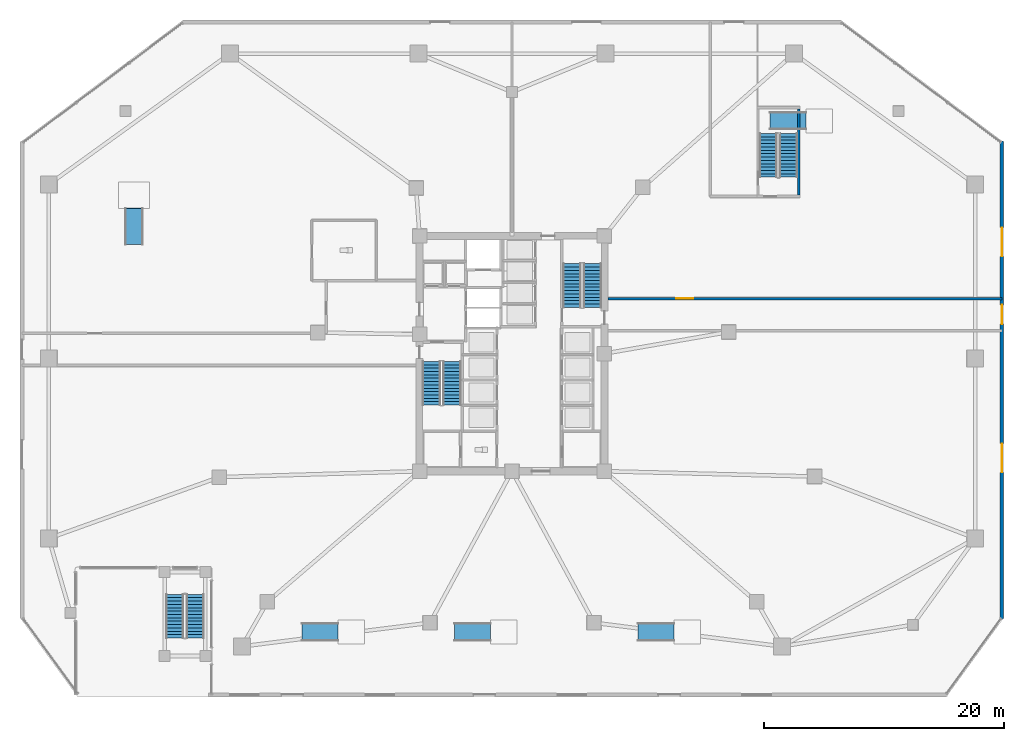
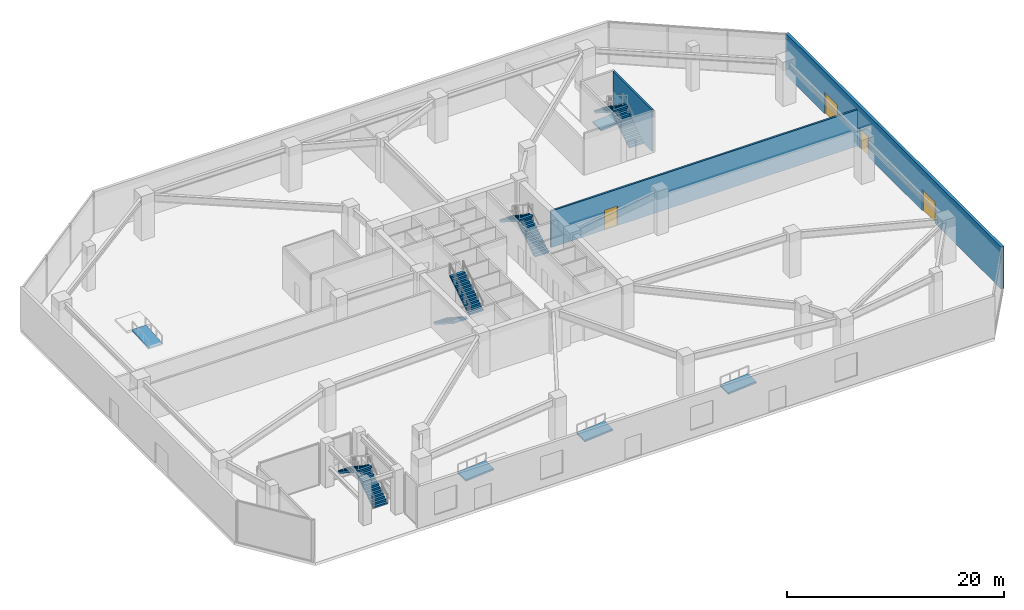
# One storey, part 12 of 22: 8 stair flights, 5 ramp flights, 4 doors, 3 walls, 4 openings, 9 elements without a shape of their own.
"""IFC4 building model written with IfcOpenShell, lengths in metres."""

from ifc_helpers import new_model, si_unit, direction, frame, frame_2d, origin, place, context, subcontext, project, spatial, polyline, rectangle, outline, extrude, material, layer, layer_set, type_object, element, fill, aggregate, save


model = new_model("IFC4")

# Units and contexts
model_context = context("Model", 3, precision=1e-05, world=origin(), true_north=direction((0.0, 1.0)))
body_context = subcontext(model_context, "Body", "Model", "MODEL_VIEW")
ifc_project = project(units=[si_unit("LENGTHUNIT", "METRE"), si_unit("AREAUNIT", "SQUARE_METRE"), si_unit("VOLUMEUNIT", "CUBIC_METRE"), si_unit("PLANEANGLEUNIT", "RADIAN"), si_unit("MASSUNIT", "GRAM", prefix="KILO")], contexts=[model_context])

# Site, building, storey
site_placement = place(None, origin())
site = spatial("IfcSite", under=ifc_project, at=site_placement, CompositionType="ELEMENT")
building_placement = place(site_placement, origin())
building = spatial("IfcBuilding", under=site, at=building_placement, Name="Savorim Split Tower", CompositionType="ELEMENT")
storey_placement = place(building_placement, origin())
storey = spatial("IfcBuildingStorey", under=building, at=storey_placement, Name="L00", CompositionType="ELEMENT", Elevation=0.0)

# Wall, openings, doors
ifc_material_1 = material(Name="Concrete C50/60", Category="concrete")
ifc_layer_1 = layer(ifc_material_1, 0.300048828125)
ifc_layer_set_1 = layer_set([ifc_layer_1], Name="WAL-EXT-POD300")
wall_type_1 = type_object("IfcWallType", Name="WAL-EXT-POD300", PredefinedType="SOLIDWALL", material=ifc_layer_set_1)
wall_1_placement = place(storey_placement, frame((40.820068359375, 18.10009765625, 0.0), z_axis=(0.0, 0.0, 1.0), x_axis=(0.0, -1.0, 0.0)))
wall_1 = element("IfcWall", 1, at=wall_1_placement, inside=storey, type_object=wall_type_1, Name="L00 Exterior Podium Wall E", PredefinedType="SOLIDWALL", context=body_context, shape_type="SweptSolid", body=[
    extrude(rectangle(XDim=39.800048828125, YDim=0.300048828125, at=frame_2d((19.89990234375, 0.0))), origin(), (0.0, 0.0, 1.0), 4.719970703125),
])
opening_1_placement = place(wall_1_placement, frame((25.199951171875, 0.0, 0.0)))
opening_1 = element("IfcOpeningElement", 2, at=opening_1_placement, cuts=wall_1, Name="Opening GT-01", PredefinedType="OPENING", context=body_context, shape_type="SweptSolid", body=[
    extrude(rectangle(XDim=2.39990234375, YDim=2.39990234375, at=frame_2d((1.199951171875, 1.199951171875))), frame((0.0, 0.159912109375, 0.0), z_axis=(0.0, -1.0, 0.0), x_axis=(1.0, 0.0, 0.0)), (0.0, 0.0, 1.0), 0.320068359375),
])
opening_2_placement = place(wall_1_placement, frame((13.64990234375, 0.0, 0.0)))
opening_2 = element("IfcOpeningElement", 3, at=opening_2_placement, cuts=wall_1, Name="Opening DE-02", PredefinedType="OPENING", context=body_context, shape_type="SweptSolid", body=[
    extrude(rectangle(XDim=1.60009765625, YDim=2.300048828125, at=frame_2d((0.800048828125, 1.14990234375))), frame((0.0, 0.159912109375, 0.0), z_axis=(0.0, -1.0, 0.0), x_axis=(1.0, 0.0, 0.0)), (0.0, 0.0, 1.0), 0.320068359375),
])
opening_3_placement = place(wall_1_placement, frame((7.199951171875, 0.0, 0.0)))
opening_3 = element("IfcOpeningElement", 4, at=opening_3_placement, cuts=wall_1, Name="Opening GT-01", PredefinedType="OPENING", context=body_context, shape_type="SweptSolid", body=[
    extrude(rectangle(XDim=2.39990234375, YDim=2.39990234375, at=frame_2d((1.199951171875, 1.199951171875))), frame((0.0, 0.159912109375, 0.0), z_axis=(0.0, -1.0, 0.0), x_axis=(1.0, 0.0, 0.0)), (0.0, 0.0, 1.0), 0.320068359375),
])
ifc_material_2 = material(Name="Charcoal Anodised Aluminium", Category="aluminium")
door_type_1 = type_object("IfcDoorType", Name="DOR-EXT-1600", OperationType="NOTDEFINED", PredefinedType="DOOR", material=ifc_material_2)
door_1_placement = place(opening_2_placement, origin())
door_1 = element("IfcDoor", 5, at=door_1_placement, inside=storey, type_object=door_type_1, Name="DOR-L00-ST2EX2 - L00 Exit Passage East Final Exit Door", OperationType="SINGLE_SWING_LEFT", OverallHeight=2.300048828125, OverallWidth=1.60009765625, PredefinedType="DOOR", context=body_context, shape_type="SweptSolid", body=[
    extrude(rectangle(XDim=1.60009765625, YDim=2.300048828125, at=frame_2d((0.800048828125, 1.14990234375))), frame((0.0, 0.02490234375, 0.0), z_axis=(0.0, -1.0, 0.0), x_axis=(1.0, 0.0, 0.0)), (0.0, 0.0, 1.0), 0.050048828125),
])
fill(opening_2, door_1)
door_type_2 = type_object("IfcDoorType", Name="DOR-GAT-2400", OperationType="NOTDEFINED", PredefinedType="GATE", material=ifc_material_2)
door_2_placement = place(opening_1_placement, origin())
door_2 = element("IfcDoor", 6, at=door_2_placement, inside=storey, type_object=door_type_2, Name="DOR-L00-BGAT3 - L00 East Bicycle Courtyard Gate 3", OperationType="DOUBLE_DOOR_SINGLE_SWING", OverallHeight=2.39990234375, OverallWidth=2.39990234375, PredefinedType="GATE", context=body_context, shape_type="SweptSolid", body=[
    extrude(rectangle(XDim=2.39990234375, YDim=2.39990234375, at=frame_2d((1.199951171875, 1.199951171875))), frame((0.0, 0.02490234375, 0.0), z_axis=(0.0, -1.0, 0.0), x_axis=(1.0, 0.0, 0.0)), (0.0, 0.0, 1.0), 0.050048828125),
])
fill(opening_1, door_2)
door_3_placement = place(opening_3_placement, origin())
door_3 = element("IfcDoor", 7, at=door_3_placement, inside=storey, type_object=door_type_2, Name="DOR-L00-BGAT4 - L00 East Delivery Gate 4", OperationType="DOUBLE_DOOR_SINGLE_SWING", OverallHeight=2.39990234375, OverallWidth=2.39990234375, PredefinedType="GATE", context=body_context, shape_type="SweptSolid", body=[
    extrude(rectangle(XDim=2.39990234375, YDim=2.39990234375, at=frame_2d((1.199951171875, 1.199951171875))), frame((0.0, 0.02490234375, 0.0), z_axis=(0.0, -1.0, 0.0), x_axis=(1.0, 0.0, 0.0)), (0.0, 0.0, 1.0), 0.050048828125),
])
fill(opening_3, door_3)

# Wall
ifc_layer_2 = layer(ifc_material_1, 0.199951171875)
ifc_layer_set_2 = layer_set([ifc_layer_2], Name="WAL-INT-RC200")
wall_type_2 = type_object("IfcWallType", Name="WAL-INT-RC200", PredefinedType="SOLIDWALL", material=ifc_layer_set_2)
wall_2_placement = place(storey_placement, frame((23.89990234375, 13.60009765625, 0.0), z_axis=(0.0, 0.0, 1.0), x_axis=(0.0, 1.0, 0.0)))
element("IfcWall", 8, at=wall_2_placement, inside=storey, type_object=wall_type_2, Name="L00 Structural Shaft Wall W-L00-ST3E", PredefinedType="SOLIDWALL", context=body_context, shape_type="SweptSolid", body=[
    extrude(rectangle(XDim=7.199951171875, YDim=0.199951171875, at=frame_2d((3.60009765625, 0.0))), origin(), (0.0, 0.0, 1.0), 4.719970703125),
])

# Wall, opening, door
wall_3_placement = place(storey_placement, frame((8.0, 4.97998046875, 0.0), z_axis=(0.0, 0.0, 1.0), x_axis=(1.0, 0.0, 0.0)))
wall_3 = element("IfcWall", 9, at=wall_3_placement, inside=storey, type_object=wall_type_2, Name="L00 Partition W-L00-EPE2", PredefinedType="SOLIDWALL", context=body_context, shape_type="SweptSolid", body=[
    extrude(rectangle(XDim=32.820068359375, YDim=0.199951171875, at=frame_2d((16.41015625, 0.0))), origin(), (0.0, 0.0, 1.0), 4.10498046875),
])
opening_4_placement = place(wall_3_placement, frame((5.699951171875, 0.0, 0.0)))
opening_4 = element("IfcOpeningElement", 10, at=opening_4_placement, cuts=wall_3, Name="Opening DI-01", PredefinedType="OPENING", context=body_context, shape_type="SweptSolid", body=[
    extrude(rectangle(XDim=1.39990234375, YDim=2.199951171875, at=frame_2d((0.699951171875, 1.10009765625))), frame((0.0, 0.10986328125, 0.0), z_axis=(0.0, -1.0, 0.0), x_axis=(1.0, 0.0, 0.0)), (0.0, 0.0, 1.0), 0.219970703125),
])
ifc_material_3 = material(Name="Timber Fire Door Leaf", Category="wood")
door_type_3 = type_object("IfcDoorType", Name="DOR-DBL-1400", OperationType="NOTDEFINED", PredefinedType="DOOR", material=ifc_material_3)
door_4_placement = place(opening_4_placement, origin())
door_4 = element("IfcDoor", 11, at=door_4_placement, inside=storey, type_object=door_type_3, Name="DR-L00-RECP - L00 Reception Hall Door", OperationType="DOUBLE_DOOR_SINGLE_SWING", OverallHeight=2.199951171875, OverallWidth=1.39990234375, PredefinedType="DOOR", context=body_context, shape_type="SweptSolid", body=[
    extrude(rectangle(XDim=1.39990234375, YDim=2.199951171875, at=frame_2d((0.699951171875, 1.10009765625))), frame((0.0, 0.02490234375, 0.0), z_axis=(0.0, -1.0, 0.0), x_axis=(1.0, 0.0, 0.0)), (0.0, 0.0, 1.0), 0.050048828125),
])
fill(opening_4, door_4)

# Stair, stair flights
stair_type = type_object("IfcStairType", Name="STR-DOG-5000", PredefinedType="HALF_TURN_STAIR", material=ifc_material_1)
stair_1_placement = place(storey_placement, origin())
stair_1 = element("IfcStair", 12, at=stair_1_placement, inside=storey, type_object=stair_type, Name="L00 Core Protected Exit Stair ST-1", PredefinedType="HALF_TURN_STAIR")
stair_flight_type = type_object("IfcStairFlightType", Name="SFL-DOG-5000", PredefinedType="STRAIGHT", material=ifc_material_1)
stair_flight_1_placement = place(storey_placement, frame((-6.699951171875, -0.25, 0.0), z_axis=(0.0, 0.0, 1.0), x_axis=(0.0, -1.0, 0.0)))
stair_flight_1 = element("IfcStairFlight", 13, at=stair_flight_1_placement, type_object=stair_flight_type, Name="ST-1 flight 1", NumberOfRisers=14, NumberOfTreads=13, PredefinedType="STRAIGHT", RiserHeight=0.178571429, TreadLength=0.28, context=body_context, shape_type="SweptSolid", body=[
    extrude(outline(polyline([(0.0, 0.0), (0.0, 0.178466796875), (0.280029296875, 0.178466796875), (0.280029296875, 0.357177734375), (0.56005859375, 0.357177734375), (0.56005859375, 0.53564453125), (0.840087890625, 0.53564453125), (0.840087890625, 0.71435546875), (1.1201171875, 0.71435546875), (1.1201171875, 0.892822265625), (1.39990234375, 0.892822265625), (1.39990234375, 1.071533203125), (1.679931640625, 1.071533203125), (1.679931640625, 1.25), (1.9599609375, 1.25), (1.9599609375, 1.428466796875), (2.239990234375, 1.428466796875), (2.239990234375, 1.607177734375), (2.52001953125, 1.607177734375), (2.52001953125, 1.78564453125), (2.800048828125, 1.78564453125), (2.800048828125, 1.96435546875), (3.080078125, 1.96435546875), (3.080078125, 2.142822265625), (3.360107421875, 2.142822265625), (3.360107421875, 2.321533203125), (3.639892578125, 2.321533203125), (3.639892578125, 2.5), (3.639892578125, 2.1435546875), (0.27880859375, 0.0), (0.0, 0.0)])), frame((0.0, 0.75, 0.0), z_axis=(0.0, -1.0, 0.0), x_axis=(1.0, 0.0, 0.0)), (0.0, 0.0, 1.0), 1.5),
])
stair_flight_2_placement = place(storey_placement, frame((-5.0, -3.889892578125, 2.5), z_axis=(0.0, 0.0, 1.0), x_axis=(0.0, 1.0, 0.0)))
stair_flight_2 = element("IfcStairFlight", 14, at=stair_flight_2_placement, type_object=stair_flight_type, Name="ST-1 flight 2", NumberOfRisers=14, NumberOfTreads=13, PredefinedType="STRAIGHT", RiserHeight=0.178571429, TreadLength=0.28, context=body_context, shape_type="SweptSolid", body=[
    extrude(outline(polyline([(0.0, 0.0), (0.0, 0.178466796875), (0.280029296875, 0.178466796875), (0.280029296875, 0.357177734375), (0.56005859375, 0.357177734375), (0.56005859375, 0.53564453125), (0.840087890625, 0.53564453125), (0.840087890625, 0.71435546875), (1.1201171875, 0.71435546875), (1.1201171875, 0.892822265625), (1.39990234375, 0.892822265625), (1.39990234375, 1.071533203125), (1.679931640625, 1.071533203125), (1.679931640625, 1.25), (1.9599609375, 1.25), (1.9599609375, 1.428466796875), (2.239990234375, 1.428466796875), (2.239990234375, 1.607177734375), (2.52001953125, 1.607177734375), (2.52001953125, 1.78564453125), (2.800048828125, 1.78564453125), (2.800048828125, 1.96435546875), (3.080078125, 1.96435546875), (3.080078125, 2.142822265625), (3.360107421875, 2.142822265625), (3.360107421875, 2.321533203125), (3.639892578125, 2.321533203125), (3.639892578125, 2.5), (3.639892578125, 2.1435546875), (0.27880859375, 0.0), (0.0, 0.0)])), frame((0.0, 0.75, 0.0), z_axis=(0.0, -1.0, 0.0), x_axis=(1.0, 0.0, 0.0)), (0.0, 0.0, 1.0), 1.5),
])
aggregate(stair_1, [stair_flight_1, stair_flight_2])

stair_2_placement = place(storey_placement, origin())
stair_2 = element("IfcStair", 15, at=stair_2_placement, inside=storey, type_object=stair_type, Name="L00 Core Protected Exit Stair ST-2", PredefinedType="HALF_TURN_STAIR")
stair_flight_3_placement = place(storey_placement, frame((6.699951171875, 4.25, 0.0), z_axis=(0.0, 0.0, 1.0), x_axis=(0.0, 1.0, 0.0)))
stair_flight_3 = element("IfcStairFlight", 16, at=stair_flight_3_placement, type_object=stair_flight_type, Name="ST-2 flight 1", NumberOfRisers=14, NumberOfTreads=13, PredefinedType="STRAIGHT", RiserHeight=0.178571429, TreadLength=0.28, context=body_context, shape_type="SweptSolid", body=[
    extrude(outline(polyline([(0.0, 0.0), (0.0, 0.178466796875), (0.280029296875, 0.178466796875), (0.280029296875, 0.357177734375), (0.56005859375, 0.357177734375), (0.56005859375, 0.53564453125), (0.840087890625, 0.53564453125), (0.840087890625, 0.71435546875), (1.1201171875, 0.71435546875), (1.1201171875, 0.892822265625), (1.39990234375, 0.892822265625), (1.39990234375, 1.071533203125), (1.679931640625, 1.071533203125), (1.679931640625, 1.25), (1.9599609375, 1.25), (1.9599609375, 1.428466796875), (2.239990234375, 1.428466796875), (2.239990234375, 1.607177734375), (2.52001953125, 1.607177734375), (2.52001953125, 1.78564453125), (2.800048828125, 1.78564453125), (2.800048828125, 1.96435546875), (3.080078125, 1.96435546875), (3.080078125, 2.142822265625), (3.360107421875, 2.142822265625), (3.360107421875, 2.321533203125), (3.639892578125, 2.321533203125), (3.639892578125, 2.5), (3.639892578125, 2.1435546875), (0.27880859375, 0.0), (0.0, 0.0)])), frame((0.0, 0.75, 0.0), z_axis=(0.0, -1.0, 0.0), x_axis=(1.0, 0.0, 0.0)), (0.0, 0.0, 1.0), 1.5),
])
stair_flight_4_placement = place(storey_placement, frame((5.0, 7.889892578125, 2.5), z_axis=(0.0, 0.0, 1.0), x_axis=(0.0, -1.0, 0.0)))
stair_flight_4 = element("IfcStairFlight", 17, at=stair_flight_4_placement, type_object=stair_flight_type, Name="ST-2 flight 2", NumberOfRisers=14, NumberOfTreads=13, PredefinedType="STRAIGHT", RiserHeight=0.178571429, TreadLength=0.28, context=body_context, shape_type="SweptSolid", body=[
    extrude(outline(polyline([(0.0, 0.0), (0.0, 0.178466796875), (0.280029296875, 0.178466796875), (0.280029296875, 0.357177734375), (0.56005859375, 0.357177734375), (0.56005859375, 0.53564453125), (0.840087890625, 0.53564453125), (0.840087890625, 0.71435546875), (1.1201171875, 0.71435546875), (1.1201171875, 0.892822265625), (1.39990234375, 0.892822265625), (1.39990234375, 1.071533203125), (1.679931640625, 1.071533203125), (1.679931640625, 1.25), (1.9599609375, 1.25), (1.9599609375, 1.428466796875), (2.239990234375, 1.428466796875), (2.239990234375, 1.607177734375), (2.52001953125, 1.607177734375), (2.52001953125, 1.78564453125), (2.800048828125, 1.78564453125), (2.800048828125, 1.96435546875), (3.080078125, 1.96435546875), (3.080078125, 2.142822265625), (3.360107421875, 2.142822265625), (3.360107421875, 2.321533203125), (3.639892578125, 2.321533203125), (3.639892578125, 2.5), (3.639892578125, 2.1435546875), (0.27880859375, 0.0), (0.0, 0.0)])), frame((0.0, 0.75, 0.0), z_axis=(0.0, -1.0, 0.0), x_axis=(1.0, 0.0, 0.0)), (0.0, 0.0, 1.0), 1.5),
])
aggregate(stair_2, [stair_flight_3, stair_flight_4])

stair_3_placement = place(storey_placement, origin())
stair_3 = element("IfcStair", 18, at=stair_3_placement, inside=storey, type_object=stair_type, Name="L00 Podium Protected Garden Exit Stair ST-3", PredefinedType="HALF_TURN_STAIR")
stair_flight_5_placement = place(storey_placement, frame((23.050048828125, 15.10009765625, 0.0), z_axis=(0.0, 0.0, 1.0), x_axis=(0.0, 1.0, 0.0)))
stair_flight_5 = element("IfcStairFlight", 19, at=stair_flight_5_placement, type_object=stair_flight_type, Name="ST-3 flight 1", NumberOfRisers=14, NumberOfTreads=13, PredefinedType="STRAIGHT", RiserHeight=0.178571429, TreadLength=0.28, context=body_context, shape_type="SweptSolid", body=[
    extrude(outline(polyline([(0.0, 0.0), (0.0, 0.178466796875), (0.280029296875, 0.178466796875), (0.280029296875, 0.357177734375), (0.56005859375, 0.357177734375), (0.56005859375, 0.53564453125), (0.840087890625, 0.53564453125), (0.840087890625, 0.71435546875), (1.1201171875, 0.71435546875), (1.1201171875, 0.892822265625), (1.39990234375, 0.892822265625), (1.39990234375, 1.071533203125), (1.679931640625, 1.071533203125), (1.679931640625, 1.25), (1.9599609375, 1.25), (1.9599609375, 1.428466796875), (2.239990234375, 1.428466796875), (2.239990234375, 1.607177734375), (2.52001953125, 1.607177734375), (2.52001953125, 1.78564453125), (2.800048828125, 1.78564453125), (2.800048828125, 1.96435546875), (3.080078125, 1.96435546875), (3.080078125, 2.142822265625), (3.360107421875, 2.142822265625), (3.360107421875, 2.321533203125), (3.639892578125, 2.321533203125), (3.639892578125, 2.5), (3.639892578125, 2.1435546875), (0.27880859375, 0.0), (0.0, 0.0)])), frame((0.0, 0.75, 0.0), z_axis=(0.0, -1.0, 0.0), x_axis=(1.0, 0.0, 0.0)), (0.0, 0.0, 1.0), 1.5),
])
stair_flight_6_placement = place(storey_placement, frame((21.35009765625, 18.739990234375, 2.5), z_axis=(0.0, 0.0, 1.0), x_axis=(0.0, -1.0, 0.0)))
stair_flight_6 = element("IfcStairFlight", 20, at=stair_flight_6_placement, type_object=stair_flight_type, Name="ST-3 flight 2", NumberOfRisers=14, NumberOfTreads=13, PredefinedType="STRAIGHT", RiserHeight=0.178571429, TreadLength=0.28, context=body_context, shape_type="SweptSolid", body=[
    extrude(outline(polyline([(0.0, 0.0), (0.0, 0.178466796875), (0.280029296875, 0.178466796875), (0.280029296875, 0.357177734375), (0.56005859375, 0.357177734375), (0.56005859375, 0.53564453125), (0.840087890625, 0.53564453125), (0.840087890625, 0.71435546875), (1.1201171875, 0.71435546875), (1.1201171875, 0.892822265625), (1.39990234375, 0.892822265625), (1.39990234375, 1.071533203125), (1.679931640625, 1.071533203125), (1.679931640625, 1.25), (1.9599609375, 1.25), (1.9599609375, 1.428466796875), (2.239990234375, 1.428466796875), (2.239990234375, 1.607177734375), (2.52001953125, 1.607177734375), (2.52001953125, 1.78564453125), (2.800048828125, 1.78564453125), (2.800048828125, 1.96435546875), (3.080078125, 1.96435546875), (3.080078125, 2.142822265625), (3.360107421875, 2.142822265625), (3.360107421875, 2.321533203125), (3.639892578125, 2.321533203125), (3.639892578125, 2.5), (3.639892578125, 2.1435546875), (0.27880859375, 0.0), (0.0, 0.0)])), frame((0.0, 0.75, 0.0), z_axis=(0.0, -1.0, 0.0), x_axis=(1.0, 0.0, 0.0)), (0.0, 0.0, 1.0), 1.5),
])
aggregate(stair_3, [stair_flight_5, stair_flight_6])

stair_4_placement = place(storey_placement, origin())
stair_4 = element("IfcStair", 21, at=stair_4_placement, inside=storey, type_object=stair_type, Name="L00 Exterior Stepped Public Garden Stair ST-GDN", PredefinedType="HALF_TURN_STAIR")
stair_flight_7_placement = place(storey_placement, frame((-26.39990234375, -23.300048828125, 0.0), z_axis=(0.0, 0.0, 1.0), x_axis=(0.0, 1.0, 0.0)))
stair_flight_7 = element("IfcStairFlight", 22, at=stair_flight_7_placement, type_object=stair_flight_type, Name="ST-GDN flight 1", NumberOfRisers=14, NumberOfTreads=13, PredefinedType="STRAIGHT", RiserHeight=0.178571429, TreadLength=0.28, context=body_context, shape_type="SweptSolid", body=[
    extrude(outline(polyline([(0.0, 0.0), (0.0, 0.178466796875), (0.280029296875, 0.178466796875), (0.280029296875, 0.357177734375), (0.56005859375, 0.357177734375), (0.56005859375, 0.53564453125), (0.840087890625, 0.53564453125), (0.840087890625, 0.71435546875), (1.1201171875, 0.71435546875), (1.1201171875, 0.892822265625), (1.39990234375, 0.892822265625), (1.39990234375, 1.071533203125), (1.679931640625, 1.071533203125), (1.679931640625, 1.25), (1.9599609375, 1.25), (1.9599609375, 1.428466796875), (2.239990234375, 1.428466796875), (2.239990234375, 1.607177734375), (2.52001953125, 1.607177734375), (2.52001953125, 1.78564453125), (2.800048828125, 1.78564453125), (2.800048828125, 1.96435546875), (3.080078125, 1.96435546875), (3.080078125, 2.142822265625), (3.360107421875, 2.142822265625), (3.360107421875, 2.321533203125), (3.639892578125, 2.321533203125), (3.639892578125, 2.5), (3.639892578125, 2.1435546875), (0.27880859375, 0.0), (0.0, 0.0)])), frame((0.0, 0.75, 0.0), z_axis=(0.0, -1.0, 0.0), x_axis=(1.0, 0.0, 0.0)), (0.0, 0.0, 1.0), 1.5),
])
stair_flight_8_placement = place(storey_placement, frame((-28.10009765625, -19.659912109375, 2.5), z_axis=(0.0, 0.0, 1.0), x_axis=(0.0, -1.0, 0.0)))
stair_flight_8 = element("IfcStairFlight", 23, at=stair_flight_8_placement, type_object=stair_flight_type, Name="ST-GDN flight 2", NumberOfRisers=14, NumberOfTreads=13, PredefinedType="STRAIGHT", RiserHeight=0.178571429, TreadLength=0.28, context=body_context, shape_type="SweptSolid", body=[
    extrude(outline(polyline([(0.0, 0.0), (0.0, 0.178466796875), (0.280029296875, 0.178466796875), (0.280029296875, 0.357177734375), (0.56005859375, 0.357177734375), (0.56005859375, 0.53564453125), (0.840087890625, 0.53564453125), (0.840087890625, 0.71435546875), (1.1201171875, 0.71435546875), (1.1201171875, 0.892822265625), (1.39990234375, 0.892822265625), (1.39990234375, 1.071533203125), (1.679931640625, 1.071533203125), (1.679931640625, 1.25), (1.9599609375, 1.25), (1.9599609375, 1.428466796875), (2.239990234375, 1.428466796875), (2.239990234375, 1.607177734375), (2.52001953125, 1.607177734375), (2.52001953125, 1.78564453125), (2.800048828125, 1.78564453125), (2.800048828125, 1.96435546875), (3.080078125, 1.96435546875), (3.080078125, 2.142822265625), (3.360107421875, 2.142822265625), (3.360107421875, 2.321533203125), (3.639892578125, 2.321533203125), (3.639892578125, 2.5), (3.639892578125, 2.1435546875), (0.27880859375, 0.0), (0.0, 0.0)])), frame((0.0, 0.75, 0.0), z_axis=(0.0, -1.0, 0.0), x_axis=(1.0, 0.0, 0.0)), (0.0, 0.0, 1.0), 1.5),
])
aggregate(stair_4, [stair_flight_7, stair_flight_8])

# Ramp, ramp flight
ramp_type = type_object("IfcRampType", Name="RMP-ACC-1500", PredefinedType="STRAIGHT_RUN_RAMP", material=ifc_material_1)
ramp_1_placement = place(storey_placement, origin())
ramp_1 = element("IfcRamp", 24, at=ramp_1_placement, inside=storey, type_object=ramp_type, Name="L00 South West Colonnade Arrival Ramp", PredefinedType="STRAIGHT_RUN_RAMP")
ifc_layer_3 = layer(ifc_material_1, 0.199951171875)
ifc_layer_set_3 = layer_set([ifc_layer_3], Name="RMF-ACC-200")
ramp_flight_type = type_object("IfcRampFlightType", Name="RMF-ACC-200", PredefinedType="STRAIGHT", material=ifc_layer_set_3)
ramp_flight_1_placement = place(storey_placement, frame((-17.5, -23.550048828125, 0.0), z_axis=(-0.079741998075, 0.0, 0.996815536467), x_axis=(0.996815536467, 0.0, 0.079741998075)))
ramp_flight_1 = element("IfcRampFlight", 25, at=ramp_flight_1_placement, type_object=ramp_flight_type, Name="L00 South West Colonnade Arrival Ramp Flight 1", PredefinedType="STRAIGHT", context=body_context, shape_type="SweptSolid", body=[
    extrude(outline(polyline([(0.0, 0.0), (3.009583910210075, 0.0), (3.009583910210075, 1.5), (0.0, 1.5), (0.0, 0.0)])), origin(), (0.0, 0.0, -1.0), 0.199951171875),
])
aggregate(ramp_1, [ramp_flight_1])

ramp_2_placement = place(storey_placement, origin())
ramp_2 = element("IfcRamp", 26, at=ramp_2_placement, inside=storey, type_object=ramp_type, Name="L00 Main Entrance Colonnade Arrival Ramp", PredefinedType="STRAIGHT_RUN_RAMP")
ramp_flight_2_placement = place(storey_placement, frame((-4.800048828125, -23.550048828125, 0.0), z_axis=(-0.079741998075, 0.0, 0.996815536467), x_axis=(0.996815536467, 0.0, 0.079741998075)))
ramp_flight_2 = element("IfcRampFlight", 27, at=ramp_flight_2_placement, type_object=ramp_flight_type, Name="L00 Main Entrance Colonnade Arrival Ramp Flight 1", PredefinedType="STRAIGHT", context=body_context, shape_type="SweptSolid", body=[
    extrude(outline(polyline([(0.0, 0.0), (3.009583910210075, 0.0), (3.009583910210075, 1.5), (0.0, 1.5), (0.0, 0.0)])), origin(), (0.0, 0.0, -1.0), 0.199951171875),
])
aggregate(ramp_2, [ramp_flight_2])

ramp_3_placement = place(storey_placement, origin())
ramp_3 = element("IfcRamp", 28, at=ramp_3_placement, inside=storey, type_object=ramp_type, Name="L00 Concourse East Arrival Ramp", PredefinedType="STRAIGHT_RUN_RAMP")
ramp_flight_3_placement = place(storey_placement, frame((10.5, -23.550048828125, 0.0), z_axis=(-0.079741998075, 0.0, 0.996815536467), x_axis=(0.996815536467, 0.0, 0.079741998075)))
ramp_flight_3 = element("IfcRampFlight", 29, at=ramp_flight_3_placement, type_object=ramp_flight_type, Name="L00 Concourse East Arrival Ramp Flight 1", PredefinedType="STRAIGHT", context=body_context, shape_type="SweptSolid", body=[
    extrude(outline(polyline([(0.0, 0.0), (3.009583910210075, 0.0), (3.009583910210075, 1.5), (0.0, 1.5), (0.0, 0.0)])), origin(), (0.0, 0.0, -1.0), 0.199951171875),
])
aggregate(ramp_3, [ramp_flight_3])

ramp_4_placement = place(storey_placement, origin())
ramp_4 = element("IfcRamp", 30, at=ramp_4_placement, inside=storey, type_object=ramp_type, Name="L00 West Bicycle Vestibule Ramp", PredefinedType="STRAIGHT_RUN_RAMP")
ramp_flight_4_placement = place(storey_placement, frame((-30.75, 9.5, 0.0), z_axis=(0.0, -0.079741998075, 0.996815536467), x_axis=(0.0, 0.996815536467, 0.079741998075)))
ramp_flight_4 = element("IfcRampFlight", 31, at=ramp_flight_4_placement, type_object=ramp_flight_type, Name="L00 West Bicycle Vestibule Ramp Flight 1", PredefinedType="STRAIGHT", context=body_context, shape_type="SweptSolid", body=[
    extrude(outline(polyline([(0.0, 0.0), (3.009583910210075, 0.0), (3.009583910210075, 1.5), (0.0, 1.5), (0.0, 0.0)])), origin(), (0.0, 0.0, -1.0), 0.199951171875),
])
aggregate(ramp_4, [ramp_flight_4])

ramp_5_placement = place(storey_placement, origin())
ramp_5 = element("IfcRamp", 32, at=ramp_5_placement, inside=storey, type_object=ramp_type, Name="L00 North-East Plaza Threshold Ramp", PredefinedType="STRAIGHT_RUN_RAMP")
ramp_flight_5_placement = place(storey_placement, frame((21.5, 19.050048828125, 0.0), z_axis=(-0.079741998075, 0.0, 0.996815536467), x_axis=(0.996815536467, 0.0, 0.079741998075)))
ramp_flight_5 = element("IfcRampFlight", 33, at=ramp_flight_5_placement, type_object=ramp_flight_type, Name="L00 North-East Plaza Threshold Ramp Flight 1", PredefinedType="STRAIGHT", context=body_context, shape_type="SweptSolid", body=[
    extrude(outline(polyline([(0.0, 0.0), (3.009583910210075, 0.0), (3.009583910210075, 1.5), (0.0, 1.5), (0.0, 0.0)])), origin(), (0.0, 0.0, -1.0), 0.199951171875),
])
aggregate(ramp_5, [ramp_flight_5])

save(model, "model.ifc")
